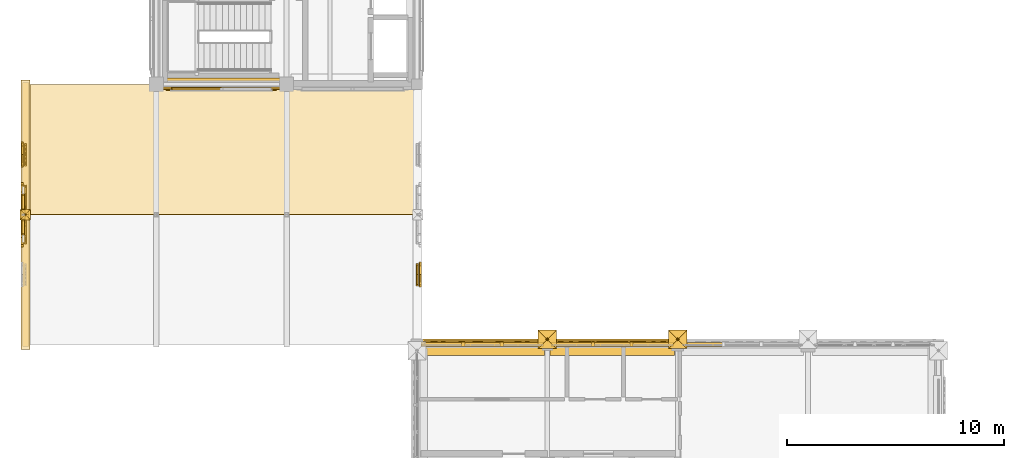
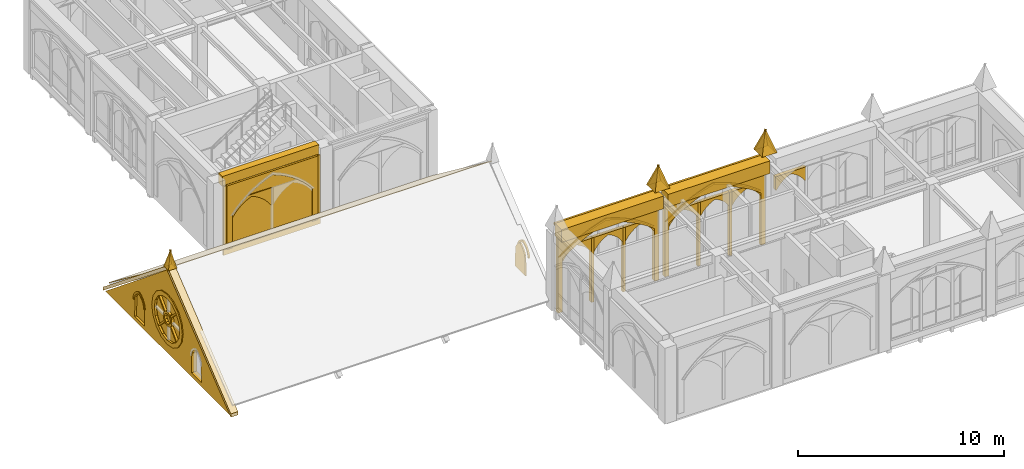
# One storey, part 113 of 143: 49 coverings.
"""IFC4 building model written with IfcOpenShell, lengths in metres."""

from ifc_helpers import new_model, si_unit, direction, frame, origin, origin_2d, place, context, subcontext, project, spatial, polyline, rectangle, outline, extrude, material, type_object, element, save


model = new_model("IFC4")

# Units and contexts
model_context = context("Model", 3, precision=1e-05, world=origin(), true_north=direction((0.0, 1.0)))
body_context = subcontext(model_context, "Body", "Model", "MODEL_VIEW")
ifc_project = project(units=[si_unit("LENGTHUNIT", "METRE"), si_unit("AREAUNIT", "SQUARE_METRE"), si_unit("VOLUMEUNIT", "CUBIC_METRE"), si_unit("PLANEANGLEUNIT", "RADIAN"), si_unit("MASSUNIT", "GRAM", prefix="KILO")], contexts=[model_context])

# Site, building, storey
site_placement = place(None, origin())
site = spatial("IfcSite", under=ifc_project, at=site_placement, CompositionType="ELEMENT")
building_placement = place(site_placement, origin())
building = spatial("IfcBuilding", under=site, at=building_placement, Name="Cumevento Cable Car Station", CompositionType="ELEMENT")
storey_placement = place(building_placement, frame((0.0, 0.0, 9.0)))
storey = spatial("IfcBuildingStorey", under=building, at=storey_placement, Name="L03", CompositionType="ELEMENT", Elevation=9.0)

# Coverings
ifc_material_1 = material(Name="Standing-Seam Zinc-Titanium Roof Sheet", Category="steel")
covering_type_1 = type_object("IfcCoveringType", Name="Standing-Seam Zinc Roofing CV-RF01", PredefinedType="ROOFING", material=ifc_material_1)
covering_1_placement = place(storey_placement, frame((4.0, 21.010009765625, 4.998291015625), z_axis=(0.0, 0.604226537421, 0.796812582404), x_axis=(1.0, 0.0, 0.0)))
element("IfcCovering", 1, at=covering_1_placement, inside=storey, type_object=covering_type_1, Name="Standing-Seam Zinc Roof Covering #34", PredefinedType="ROOFING", context=body_context, shape_type="SweptSolid", body=[
    extrude(outline(polyline([(0.0, 0.0), (18.0, 0.0), (18.0, 7.517439315913787), (0.0, 7.517439315913787), (0.0, 0.0)])), origin(), (0.0, 0.0, -1.0), 0.02587890625),
])
ifc_material_2 = material(Name="Gnaisse Facoidal Stone Ashlar 85 MPa", Category="masonry")
covering_type_2 = type_object("IfcCoveringType", Name="Gnaisse Ashlar Cladding CV-CL01", PredefinedType="CLADDING", material=ifc_material_2)
for number, where, z_axis, x_axis, name in (
    (2, (28.419921875, 14.840087890625, 4.8701171875), (0.0, -0.951573760476, 0.30742052367), (-1.0, 0.0, 0.0), "Gothic Buttress Pinnacle Spire Facet 1 bt:28.0:15.0"),
    (3, (27.580078125, 14.840087890625, 4.8701171875), (-0.951573760476, 0.0, 0.30742052367), (0.0, 1.0, 0.0), "Gothic Buttress Pinnacle Spire Facet 2 bt:28.0:15.0"),
    (4, (27.580078125, 15.679931640625, 4.8701171875), (0.0, 0.951573760476, 0.30742052367), (1.0, 0.0, 0.0), "Gothic Buttress Pinnacle Spire Facet 3 bt:28.0:15.0"),
    (5, (28.419921875, 15.679931640625, 4.8701171875), (0.951573760476, 0.0, 0.30742052367), (0.0, -1.0, 0.0), "Gothic Buttress Pinnacle Spire Facet 4 bt:28.0:15.0"),
    (6, (34.419921875, 14.840087890625, 4.8701171875), (0.0, -0.951573760476, 0.30742052367), (-1.0, 0.0, 0.0), "Gothic Buttress Pinnacle Spire Facet 1 bt:34.0:15.0"),
    (7, (33.580078125, 14.840087890625, 4.8701171875), (-0.951573760476, 0.0, 0.30742052367), (0.0, 1.0, 0.0), "Gothic Buttress Pinnacle Spire Facet 2 bt:34.0:15.0"),
    (8, (33.580078125, 15.679931640625, 4.8701171875), (0.0, 0.951573760476, 0.30742052367), (1.0, 0.0, 0.0), "Gothic Buttress Pinnacle Spire Facet 3 bt:34.0:15.0"),
    (9, (34.419921875, 15.679931640625, 4.8701171875), (0.951573760476, 0.0, 0.30742052367), (0.0, -1.0, 0.0), "Gothic Buttress Pinnacle Spire Facet 4 bt:34.0:15.0"),
):
    element("IfcCovering", number, at=place(storey_placement, frame(where, z_axis=z_axis, x_axis=x_axis)), inside=storey, type_object=covering_type_2, Name=name, PredefinedType="CLADDING", context=body_context, shape_type="SweptSolid", body=[
        extrude(outline(polyline([(0.0, 0.0), (0.83984375, 0.0), (0.419921875, -1.3659526370817139), (0.0, 0.0)])), origin(), (0.0, 0.0, -1.0), 0.0849609375),
    ])
covering_2_placement = place(storey_placement, frame((25.012451171875, 14.85009765625, 4.032958984375), z_axis=(0.0, 0.0, 1.0), x_axis=(1.0, 0.0, 0.0)))
element("IfcCovering", 10, at=covering_2_placement, inside=storey, type_object=covering_type_2, Name="Gothic Stone Spandrel Stringcourse sc:0584", PredefinedType="CLADDING", context=body_context, shape_type="SweptSolid", body=[
    extrude(rectangle(XDim=5.715087890625, YDim=0.659912109375, at=origin_2d()), origin(), (0.0, 0.0, 1.0), 0.7470703125),
])
covering_3_placement = place(storey_placement, frame((25.012451171875, 15.20751953125, 4.650146484375), z_axis=(0.0, 0.0, 1.0), x_axis=(1.0, 0.0, 0.0)))
element("IfcCovering", 11, at=covering_3_placement, inside=storey, type_object=covering_type_2, Name="Gothic Cornice Dripstone Lip sc:0584", PredefinedType="CLADDING", context=body_context, shape_type="SweptSolid", body=[
    extrude(rectangle(XDim=5.7548828125, YDim=0.114990234375, at=origin_2d()), origin(), (0.0, 0.0, 1.0), 0.1298828125),
])
covering_4_placement = place(storey_placement, frame((30.987548828125, 14.85009765625, 4.032958984375), z_axis=(0.0, 0.0, 1.0), x_axis=(1.0, 0.0, 0.0)))
element("IfcCovering", 12, at=covering_4_placement, inside=storey, type_object=covering_type_2, Name="Gothic Stone Spandrel Stringcourse sc:0585", PredefinedType="CLADDING", context=body_context, shape_type="SweptSolid", body=[
    extrude(rectangle(XDim=5.715087890625, YDim=0.659912109375, at=origin_2d()), origin(), (0.0, 0.0, 1.0), 0.7470703125),
])
covering_5_placement = place(storey_placement, frame((30.987548828125, 15.20751953125, 4.650146484375), z_axis=(0.0, 0.0, 1.0), x_axis=(1.0, 0.0, 0.0)))
element("IfcCovering", 13, at=covering_5_placement, inside=storey, type_object=covering_type_2, Name="Gothic Cornice Dripstone Lip sc:0585", PredefinedType="CLADDING", context=body_context, shape_type="SweptSolid", body=[
    extrude(rectangle(XDim=5.7548828125, YDim=0.114990234375, at=origin_2d()), origin(), (0.0, 0.0, 1.0), 0.1298828125),
])
covering_6_placement = place(storey_placement, frame((13.0, 27.090087890625, 3.97412109375), z_axis=(0.0, 0.0, 1.0), x_axis=(-1.0, 0.0, 0.0)))
element("IfcCovering", 14, at=covering_6_placement, inside=storey, type_object=covering_type_2, Name="Gothic Stone Spandrel Stringcourse sc:0616", PredefinedType="CLADDING", context=body_context, shape_type="SweptSolid", body=[
    extrude(rectangle(XDim=5.409912109375, YDim=0.3798828125, at=origin_2d()), origin(), (0.0, 0.0, 1.0), 0.60595703125),
])
placement_1 = place(storey_placement, frame((22.27490234375, 15.0, -0.419921875), z_axis=(0.0, 0.0, 1.0), x_axis=(1.0, 0.0, 0.0)))
element("IfcCovering", 15, at=placement_1, inside=storey, type_object=covering_type_2, Name="Gothic Ogival Pointed-Arch Stone Spandrel cw_ogival:0066", PredefinedType="CLADDING", context=body_context, shape_type="SweptSolid", body=[
    extrude(outline(polyline([(-0.080078125, 0.0), (-0.080078125, 4.593017578125), (5.554931640625, 4.593017578125), (5.554931640625, 0.0), (5.31494140625, 0.0), (5.31494140625, 3.133056640625), (5.02490234375, 3.34814453125), (4.723876953125, 3.547607421875), (4.41259765625, 3.731201171875), (4.092529296875, 3.898193359375), (3.763916015625, 4.04833984375), (3.427978515625, 4.18115234375), (3.08544921875, 4.296142578125), (2.737548828125, 4.39306640625), (2.3896484375, 4.296142578125), (2.047119140625, 4.18115234375), (1.711181640625, 4.04833984375), (1.382568359375, 3.898193359375), (1.0625, 3.731201171875), (0.751220703125, 3.547607421875), (0.4501953125, 3.34814453125), (0.159912109375, 3.133056640625), (0.159912109375, 0.0), (-0.080078125, 0.0)])), frame((0.0, 0.139892578125, 0.0), z_axis=(0.0, -1.0, 0.0), x_axis=(1.0, 0.0, 0.0)), (0.0, 0.0, 1.0), 0.219970703125),
])
covering_8_placement = place(storey_placement, frame((22.27490234375, 15.0, 2.713134765625), z_axis=(0.0, 0.0, 1.0), x_axis=(1.0, 0.0, 0.0)))
element("IfcCovering", 16, at=covering_8_placement, inside=storey, type_object=covering_type_2, Name="Gothic Pointed Archivolt Hood Moulding cw_ogival:0066", PredefinedType="CLADDING", context=body_context, shape_type="SweptSolid", body=[
    extrude(outline(polyline([(0.159912109375, 0.0), (0.4501953125, 0.215087890625), (0.751220703125, 0.41455078125), (1.0625, 0.59814453125), (1.382568359375, 0.76513671875), (1.711181640625, 0.915283203125), (2.047119140625, 1.048095703125), (2.3896484375, 1.1630859375), (2.737548828125, 1.260009765625), (3.08544921875, 1.1630859375), (3.427978515625, 1.048095703125), (3.763916015625, 0.915283203125), (4.092529296875, 0.76513671875), (4.41259765625, 0.59814453125), (4.723876953125, 0.41455078125), (5.02490234375, 0.215087890625), (5.31494140625, 0.0), (5.425048828125, 0.0), (5.12646484375, 0.23779296875), (4.815185546875, 0.458740234375), (4.492431640625, 0.662109375), (4.15869140625, 0.847412109375), (3.8154296875, 1.01416015625), (3.46337890625, 1.16162109375), (3.103759765625, 1.28955078125), (2.737548828125, 1.3974609375), (2.371337890625, 1.28955078125), (2.01171875, 1.16162109375), (1.65966796875, 1.01416015625), (1.31640625, 0.847412109375), (0.982666015625, 0.662109375), (0.659912109375, 0.458740234375), (0.3486328125, 0.23779296875), (0.050048828125, 0.0), (0.159912109375, 0.0)])), frame((0.0, 0.181884765625, 0.0), z_axis=(0.0, -1.0, 0.0), x_axis=(1.0, 0.0, 0.0)), (0.0, 0.0, 1.0), 0.06689453125),
])
element("IfcCovering", 17, at=placement_1, inside=storey, type_object=covering_type_2, Name="Gothic Bifora Stone Colonnette cw_ogival:0066 #1", PredefinedType="CLADDING", context=body_context, shape_type="SweptSolid", body=[
    extrude(outline(polyline([(1.7783203125, -0.02001953125), (1.92822265625, -0.02001953125), (1.92822265625, 3.7880859375), (1.7783203125, 3.7880859375), (1.7783203125, -0.02001953125)])), frame((0.0, 0.1279296875, 0.0), z_axis=(0.0, -1.0, 0.0), x_axis=(1.0, 0.0, 0.0)), (0.0, 0.0, 1.0), 0.205078125),
])
element("IfcCovering", 18, at=placement_1, inside=storey, type_object=covering_type_2, Name="Gothic Bifora Stone Colonnette cw_ogival:0066 #2", PredefinedType="CLADDING", context=body_context, shape_type="SweptSolid", body=[
    extrude(outline(polyline([(3.546630859375, -0.02001953125), (3.69677734375, -0.02001953125), (3.69677734375, 3.7880859375), (3.546630859375, 3.7880859375), (3.546630859375, -0.02001953125)])), frame((0.0, 0.1279296875, 0.0), z_axis=(0.0, -1.0, 0.0), x_axis=(1.0, 0.0, 0.0)), (0.0, 0.0, 1.0), 0.205078125),
])
for number, where, z_axis, x_axis, name in (
    (19, (22.405029296875, 15.0, 2.533203125), (0.0, 0.0, 1.0), (1.0, 0.0, 0.0), "Gothic Ogival Pointed-Arch Stone Spandrel cw_ogival:0066:sub:0"),
    (20, (24.17333984375, 15.0, 2.533203125), (0.0, 0.0, 1.0), (1.0, 0.0, 0.0), "Gothic Ogival Pointed-Arch Stone Spandrel cw_ogival:0066:sub:1"),
    (21, (25.941650390625, 15.0, 2.533203125), (0.0, 0.0, 1.0), (1.0, 0.0, 0.0), "Gothic Ogival Pointed-Arch Stone Spandrel cw_ogival:0066:sub:2"),
):
    element("IfcCovering", number, at=place(storey_placement, frame(where, z_axis=z_axis, x_axis=x_axis)), inside=storey, type_object=covering_type_2, Name=name, PredefinedType="CLADDING", context=body_context, shape_type="SweptSolid", body=[
        extrude(outline(polyline([(-0.02001953125, 0.0), (-0.02001953125, 0.835205078125), (1.6982421875, 0.835205078125), (1.6982421875, 0.0), (1.638427734375, 0.0), (1.541259765625, 0.154052734375), (1.427978515625, 0.29638671875), (1.29931640625, 0.42529296875), (1.156982421875, 0.538818359375), (1.0029296875, 0.635986328125), (0.839111328125, 0.715087890625), (0.67529296875, 0.635986328125), (0.521240234375, 0.538818359375), (0.37890625, 0.42529296875), (0.250244140625, 0.29638671875), (0.136962890625, 0.154052734375), (0.0400390625, 0.0), (-0.02001953125, 0.0)])), frame((0.0, 0.1240234375, 0.0), z_axis=(0.0, -1.0, 0.0), x_axis=(1.0, 0.0, 0.0)), (0.0, 0.0, 1.0), 0.199951171875),
    ])
placement_2 = place(storey_placement, frame((28.25, 15.0, -0.3701171875), z_axis=(0.0, 0.0, 1.0), x_axis=(1.0, 0.0, 0.0)))
element("IfcCovering", 22, at=placement_2, inside=storey, type_object=covering_type_2, Name="Gothic Ogival Pointed-Arch Stone Spandrel cw_ogival:0067", PredefinedType="CLADDING", context=body_context, shape_type="SweptSolid", body=[
    extrude(outline(polyline([(-0.080078125, 0.0), (-0.080078125, 4.54296875), (5.554931640625, 4.54296875), (5.554931640625, 0.0), (5.31494140625, 0.0), (5.31494140625, 3.10107421875), (5.02392578125, 3.313232421875), (4.722412109375, 3.510009765625), (4.4111328125, 3.69091796875), (4.0908203125, 3.85546875), (3.76220703125, 4.00341796875), (3.4267578125, 4.13427734375), (3.0849609375, 4.24755859375), (2.737548828125, 4.343017578125), (2.39013671875, 4.24755859375), (2.04833984375, 4.13427734375), (1.712890625, 4.00341796875), (1.38427734375, 3.85546875), (1.06396484375, 3.69091796875), (0.752685546875, 3.510009765625), (0.451171875, 3.313232421875), (0.159912109375, 3.10107421875), (0.159912109375, 0.0), (-0.080078125, 0.0)])), frame((0.0, 0.139892578125, 0.0), z_axis=(0.0, -1.0, 0.0), x_axis=(1.0, 0.0, 0.0)), (0.0, 0.0, 1.0), 0.219970703125),
])
covering_12_placement = place(storey_placement, frame((28.25, 15.0, 2.731201171875), z_axis=(0.0, 0.0, 1.0), x_axis=(1.0, 0.0, 0.0)))
element("IfcCovering", 23, at=covering_12_placement, inside=storey, type_object=covering_type_2, Name="Gothic Pointed Archivolt Hood Moulding cw_ogival:0067", PredefinedType="CLADDING", context=body_context, shape_type="SweptSolid", body=[
    extrude(outline(polyline([(0.159912109375, 0.0), (0.451171875, 0.212158203125), (0.752685546875, 0.408935546875), (1.06396484375, 0.58984375), (1.38427734375, 0.75439453125), (1.712890625, 0.90234375), (2.04833984375, 1.033203125), (2.39013671875, 1.146484375), (2.737548828125, 1.241943359375), (3.0849609375, 1.146484375), (3.4267578125, 1.033203125), (3.76220703125, 0.90234375), (4.0908203125, 0.75439453125), (4.4111328125, 0.58984375), (4.722412109375, 0.408935546875), (5.02392578125, 0.212158203125), (5.31494140625, 0.0), (5.425048828125, 0.0), (5.125732421875, 0.23486328125), (4.813720703125, 0.453125), (4.490478515625, 0.65380859375), (4.156982421875, 0.8369140625), (3.813720703125, 1.001220703125), (3.462158203125, 1.14697265625), (3.10302734375, 1.27294921875), (2.737548828125, 1.37939453125), (2.3720703125, 1.27294921875), (2.012939453125, 1.14697265625), (1.661376953125, 1.001220703125), (1.318115234375, 0.8369140625), (0.984619140625, 0.65380859375), (0.661376953125, 0.453125), (0.349365234375, 0.23486328125), (0.050048828125, 0.0), (0.159912109375, 0.0)])), frame((0.0, 0.181884765625, 0.0), z_axis=(0.0, -1.0, 0.0), x_axis=(1.0, 0.0, 0.0)), (0.0, 0.0, 1.0), 0.06689453125),
])
element("IfcCovering", 24, at=placement_2, inside=storey, type_object=covering_type_2, Name="Gothic Bifora Stone Colonnette cw_ogival:0067 #1", PredefinedType="CLADDING", context=body_context, shape_type="SweptSolid", body=[
    extrude(outline(polyline([(1.7783203125, -0.02001953125), (1.92822265625, -0.02001953125), (1.92822265625, 3.746826171875), (1.7783203125, 3.746826171875), (1.7783203125, -0.02001953125)])), frame((0.0, 0.1279296875, 0.0), z_axis=(0.0, -1.0, 0.0), x_axis=(1.0, 0.0, 0.0)), (0.0, 0.0, 1.0), 0.205078125),
])
element("IfcCovering", 25, at=placement_2, inside=storey, type_object=covering_type_2, Name="Gothic Bifora Stone Colonnette cw_ogival:0067 #2", PredefinedType="CLADDING", context=body_context, shape_type="SweptSolid", body=[
    extrude(outline(polyline([(3.546630859375, -0.02001953125), (3.69677734375, -0.02001953125), (3.69677734375, 3.746826171875), (3.546630859375, 3.746826171875), (3.546630859375, -0.02001953125)])), frame((0.0, 0.1279296875, 0.0), z_axis=(0.0, -1.0, 0.0), x_axis=(1.0, 0.0, 0.0)), (0.0, 0.0, 1.0), 0.205078125),
])
for number, where, z_axis, x_axis, name in (
    (26, (28.3798828125, 15.0, 2.551025390625), (0.0, 0.0, 1.0), (1.0, 0.0, 0.0), "Gothic Ogival Pointed-Arch Stone Spandrel cw_ogival:0067:sub:0"),
    (27, (30.1484375, 15.0, 2.551025390625), (0.0, 0.0, 1.0), (1.0, 0.0, 0.0), "Gothic Ogival Pointed-Arch Stone Spandrel cw_ogival:0067:sub:1"),
    (28, (31.916748046875, 15.0, 2.551025390625), (0.0, 0.0, 1.0), (1.0, 0.0, 0.0), "Gothic Ogival Pointed-Arch Stone Spandrel cw_ogival:0067:sub:2"),
):
    element("IfcCovering", number, at=place(storey_placement, frame(where, z_axis=z_axis, x_axis=x_axis)), inside=storey, type_object=covering_type_2, Name=name, PredefinedType="CLADDING", context=body_context, shape_type="SweptSolid", body=[
        extrude(outline(polyline([(-0.02001953125, 0.0), (-0.02001953125, 0.82568359375), (1.6982421875, 0.82568359375), (1.6982421875, 0.0), (1.638427734375, 0.0), (1.54052734375, 0.15234375), (1.4267578125, 0.29296875), (1.2978515625, 0.419921875), (1.15576171875, 0.531982421875), (1.002197265625, 0.627685546875), (0.839111328125, 0.705810546875), (0.676025390625, 0.627685546875), (0.5224609375, 0.531982421875), (0.38037109375, 0.419921875), (0.25146484375, 0.29296875), (0.1376953125, 0.15234375), (0.0400390625, 0.0), (-0.02001953125, 0.0)])), frame((0.0, 0.1240234375, 0.0), z_axis=(0.0, -1.0, 0.0), x_axis=(1.0, 0.0, 0.0)), (0.0, 0.0, 1.0), 0.199951171875),
    ])
covering_15_placement = place(storey_placement, frame((34.405029296875, 15.0, 2.587158203125), z_axis=(0.0, 0.0, 1.0), x_axis=(1.0, 0.0, 0.0)))
element("IfcCovering", 29, at=covering_15_placement, inside=storey, type_object=covering_type_2, Name="Gothic Ogival Pointed-Arch Stone Spandrel cw_ogival:0069:sub:0", PredefinedType="CLADDING", context=body_context, shape_type="SweptSolid", body=[
    extrude(outline(polyline([(-0.02001953125, 0.0), (-0.02001953125, 0.80712890625), (1.67333984375, 0.80712890625), (1.67333984375, 0.0), (1.61328125, 0.0), (1.5166015625, 0.1484375), (1.404052734375, 0.285400390625), (1.27734375, 0.4091796875), (1.137451171875, 0.51806640625), (0.98681640625, 0.611083984375), (0.82666015625, 0.68701171875), (0.66650390625, 0.611083984375), (0.515869140625, 0.51806640625), (0.3759765625, 0.4091796875), (0.249267578125, 0.285400390625), (0.13671875, 0.1484375), (0.0400390625, 0.0), (-0.02001953125, 0.0)])), frame((0.0, 0.1240234375, 0.0), z_axis=(0.0, -1.0, 0.0), x_axis=(1.0, 0.0, 0.0)), (0.0, 0.0, 1.0), 0.199951171875),
])
covering_16_placement = place(storey_placement, frame((15.675048828125, 27.0, 0.0), z_axis=(0.0, 0.0, 1.0), x_axis=(-1.0, 0.0, 0.0)))
element("IfcCovering", 30, at=covering_16_placement, inside=storey, type_object=covering_type_2, Name="Exterior Gnaisse Stone Wall Ashlar #235", PredefinedType="CLADDING", context=body_context, shape_type="SweptSolid", body=[
    extrude(outline(polyline([(-0.0400390625, -0.02001953125), (5.389892578125, -0.02001953125), (5.389892578125, 4.053955078125), (-0.0400390625, 4.053955078125), (-0.0400390625, -0.02001953125)])), frame((0.0, 0.222412109375, 0.0), z_axis=(0.0, -1.0, 0.0), x_axis=(1.0, 0.0, 0.0)), (0.0, 0.0, 1.0), 0.0849609375),
])
covering_17_placement = place(storey_placement, frame((15.4951171875, 27.0, 0.300048828125), z_axis=(0.0, 0.0, 1.0), x_axis=(-1.0, 0.0, 0.0)))
element("IfcCovering", 31, at=covering_17_placement, inside=storey, type_object=covering_type_2, Name="Gothic Ogival Pointed-Arch Stone Spandrel blind_ogival:0235", PredefinedType="CLADDING", context=body_context, shape_type="SweptSolid", body=[
    extrude(outline(polyline([(-0.050048828125, 0.0), (-0.050048828125, 3.77392578125), (5.0400390625, 3.77392578125), (5.0400390625, 0.0), (4.72998046875, 0.0), (4.72998046875, 1.958984375), (4.471923828125, 2.26123046875), (4.190185546875, 2.541748046875), (3.886474609375, 2.798095703125), (3.562744140625, 3.029052734375), (3.221435546875, 3.23291015625), (2.86474609375, 3.408203125), (2.4951171875, 3.553955078125), (2.125244140625, 3.408203125), (1.7685546875, 3.23291015625), (1.42724609375, 3.029052734375), (1.103515625, 2.798095703125), (0.7998046875, 2.541748046875), (0.51806640625, 2.26123046875), (0.260009765625, 1.958984375), (0.260009765625, 0.0), (-0.050048828125, 0.0)])), frame((0.0, 0.277587890625, 0.0), z_axis=(0.0, -1.0, 0.0), x_axis=(1.0, 0.0, 0.0)), (0.0, 0.0, 1.0), 0.110107421875),
])
covering_18_placement = place(storey_placement, frame((12.955078125, 27.0, 2.0791015625), z_axis=(0.0, 0.0, 1.0), x_axis=(-1.0, 0.0, 0.0)))
element("IfcCovering", 32, at=covering_18_placement, inside=storey, type_object=covering_type_2, Name="Gothic Ogival Pointed-Arch Stone Spandrel blind_ogival:0235:sub:1", PredefinedType="CLADDING", context=body_context, shape_type="SweptSolid", body=[
    extrude(outline(polyline([(-0.02001953125, 0.0), (-0.02001953125, 1.009521484375), (2.239990234375, 1.009521484375), (2.239990234375, 0.0), (2.179931640625, 0.0), (2.044677734375, 0.193115234375), (1.8896484375, 0.37060546875), (1.716552734375, 0.53076171875), (1.52734375, 0.671630859375), (1.324462890625, 0.79150390625), (1.110107421875, 0.889404296875), (0.8955078125, 0.79150390625), (0.692626953125, 0.671630859375), (0.50341796875, 0.53076171875), (0.330322265625, 0.37060546875), (0.17529296875, 0.193115234375), (0.0400390625, 0.0), (-0.02001953125, 0.0)])), frame((0.0, 0.261474609375, 0.0), z_axis=(0.0, -1.0, 0.0), x_axis=(1.0, 0.0, 0.0)), (0.0, 0.0, 1.0), 0.090087890625),
])
placement_3 = place(storey_placement, frame((4.0, 15.0, 0.0), z_axis=(0.0, 0.0, 1.0), x_axis=(0.0, 1.0, 0.0)))
element("IfcCovering", 33, at=placement_3, inside=storey, type_object=covering_type_2, Name="Gothic Stone Gable Tympanum wing_B_V6a_W", PredefinedType="CLADDING", context=body_context, shape_type="SweptSolid", body=[
    extrude(outline(polyline([(-0.080078125, -0.06005859375), (12.080078125, -0.06005859375), (6.0, 4.909912109375), (-0.080078125, -0.06005859375)]), holes=[polyline([(7.30419921875, 1.980224609375), (7.204833984375, 2.479248046875), (6.922119140625, 2.90234375), (6.4990234375, 3.18505859375), (6.0, 3.284423828125), (5.5009765625, 3.18505859375), (5.077880859375, 2.90234375), (4.795166015625, 2.479248046875), (4.69580078125, 1.980224609375), (4.795166015625, 1.481201171875), (5.077880859375, 1.05810546875), (5.5009765625, 0.775390625), (6.0, 0.67626953125), (6.4990234375, 0.775390625), (6.922119140625, 1.05810546875), (7.204833984375, 1.481201171875), (7.30419921875, 1.980224609375)]), polyline([(2.764892578125, 0.179931640625), (3.715087890625, 0.179931640625), (3.693115234375, 1.342529296875), (3.62890625, 1.495849609375), (3.52685546875, 1.627197265625), (3.394287109375, 1.727294921875), (3.239990234375, 1.789306640625), (3.085693359375, 1.727294921875), (2.953125, 1.627197265625), (2.85107421875, 1.495849609375), (2.786865234375, 1.342529296875), (2.764892578125, 0.179931640625)]), polyline([(8.284912109375, 0.179931640625), (9.235107421875, 0.179931640625), (9.213134765625, 1.342529296875), (9.14892578125, 1.495849609375), (9.046875, 1.627197265625), (8.914306640625, 1.727294921875), (8.760009765625, 1.789306640625), (8.605712890625, 1.727294921875), (8.47314453125, 1.627197265625), (8.37109375, 1.495849609375), (8.306884765625, 1.342529296875), (8.284912109375, 0.179931640625)])]), frame((0.0, 0.159912109375, 0.0), z_axis=(0.0, -1.0, 0.0), x_axis=(1.0, 0.0, 0.0)), (0.0, 0.0, 1.0), 0.300048828125),
])
element("IfcCovering", 34, at=placement_3, inside=storey, type_object=covering_type_2, Name="Gothic Gable Recessed Tracery Backing wing_B_V6a_W rose", PredefinedType="CLADDING", context=body_context, shape_type="SweptSolid", body=[
    extrude(outline(polyline([(7.343994140625, 1.980224609375), (7.24169921875, 2.49462890625), (6.950439453125, 2.9306640625), (6.514404296875, 3.22216796875), (6.0, 3.324462890625), (5.485595703125, 3.22216796875), (5.049560546875, 2.9306640625), (4.75830078125, 2.49462890625), (4.656005859375, 1.980224609375), (4.75830078125, 1.4658203125), (5.049560546875, 1.02978515625), (5.485595703125, 0.738525390625), (6.0, 0.63623046875), (6.514404296875, 0.738525390625), (6.950439453125, 1.02978515625), (7.24169921875, 1.4658203125), (7.343994140625, 1.980224609375)])), frame((0.0, 0.050048828125, 0.0), z_axis=(0.0, -1.0, 0.0), x_axis=(1.0, 0.0, 0.0)), (0.0, 0.0, 1.0), 0.074951171875),
])
element("IfcCovering", 35, at=placement_3, inside=storey, type_object=covering_type_2, Name="Gothic Gable Recessed Tracery Backing wing_B_V6a_W lancet_1", PredefinedType="CLADDING", context=body_context, shape_type="SweptSolid", body=[
    extrude(outline(polyline([(8.2548828125, 0.14990234375), (9.264892578125, 0.14990234375), (9.208740234375, 1.3349609375), (9.127685546875, 1.47998046875), (9.02392578125, 1.609375), (8.900146484375, 1.72021484375), (8.760009765625, 1.809326171875), (8.619873046875, 1.72021484375), (8.49609375, 1.609375), (8.392333984375, 1.47998046875), (8.311279296875, 1.3349609375), (8.2548828125, 0.14990234375)])), frame((0.0, 0.050048828125, 0.0), z_axis=(0.0, -1.0, 0.0), x_axis=(1.0, 0.0, 0.0)), (0.0, 0.0, 1.0), 0.074951171875),
])
element("IfcCovering", 36, at=placement_3, inside=storey, type_object=covering_type_2, Name="Gothic 16-Sided Stone Rose Window Ring wing_B_V6a_W", PredefinedType="CLADDING", context=body_context, shape_type="SweptSolid", body=[
    extrude(outline(polyline([(7.484130859375, 1.980224609375), (7.37109375, 2.54833984375), (7.04931640625, 3.02978515625), (6.56787109375, 3.351318359375), (6.0, 3.46435546875), (5.43212890625, 3.351318359375), (4.95068359375, 3.02978515625), (4.62890625, 2.54833984375), (4.515869140625, 1.980224609375), (4.62890625, 1.412353515625), (4.95068359375, 0.930908203125), (5.43212890625, 0.609130859375), (6.0, 0.49609375), (6.56787109375, 0.609130859375), (7.04931640625, 0.930908203125), (7.37109375, 1.412353515625), (7.484130859375, 1.980224609375)]), holes=[polyline([(7.234130859375, 1.980224609375), (7.14013671875, 2.45263671875), (6.87255859375, 2.85302734375), (6.47216796875, 3.120361328125), (6.0, 3.21435546875), (5.52783203125, 3.120361328125), (5.12744140625, 2.85302734375), (4.85986328125, 2.45263671875), (4.765869140625, 1.980224609375), (4.85986328125, 1.508056640625), (5.12744140625, 1.107666015625), (5.52783203125, 0.840087890625), (6.0, 0.74609375), (6.47216796875, 0.840087890625), (6.87255859375, 1.107666015625), (7.14013671875, 1.508056640625), (7.234130859375, 1.980224609375)])]), frame((0.0, 0.215087890625, 0.0), z_axis=(0.0, -1.0, 0.0), x_axis=(1.0, 0.0, 0.0)), (0.0, 0.0, 1.0), 0.110107421875),
])
element("IfcCovering", 37, at=placement_3, inside=storey, type_object=covering_type_2, Name="Gothic Rose Central Stone Oculus Hub wing_B_V6a_W", PredefinedType="CLADDING", context=body_context, shape_type="SweptSolid", body=[
    extrude(outline(polyline([(6.419189453125, 1.980224609375), (6.363037109375, 2.18994140625), (6.20947265625, 2.34326171875), (6.0, 2.3994140625), (5.79052734375, 2.34326171875), (5.636962890625, 2.18994140625), (5.580810546875, 1.980224609375), (5.636962890625, 1.770751953125), (5.79052734375, 1.617431640625), (6.0, 1.561279296875), (6.20947265625, 1.617431640625), (6.363037109375, 1.770751953125), (6.419189453125, 1.980224609375)]), holes=[polyline([(6.299072265625, 1.980224609375), (6.259033203125, 2.1298828125), (6.149658203125, 2.2392578125), (6.0, 2.279296875), (5.850341796875, 2.2392578125), (5.740966796875, 2.1298828125), (5.700927734375, 1.980224609375), (5.740966796875, 1.830810546875), (5.850341796875, 1.72119140625), (6.0, 1.68115234375), (6.149658203125, 1.72119140625), (6.259033203125, 1.830810546875), (6.299072265625, 1.980224609375)])]), frame((0.0, 0.18994140625, 0.0), z_axis=(0.0, -1.0, 0.0), x_axis=(1.0, 0.0, 0.0)), (0.0, 0.0, 1.0), 0.139892578125),
])
element("IfcCovering", 38, at=placement_3, inside=storey, type_object=covering_type_2, Name="Gothic Rose Stone Tracery Mullion wing_B_V6a_W #2", PredefinedType="CLADDING", context=body_context, shape_type="SweptSolid", body=[
    extrude(outline(polyline([(6.229248046875, 2.273193359375), (6.876220703125, 2.920166015625), (6.939697265625, 2.8564453125), (6.292724609375, 2.20947265625), (6.229248046875, 2.273193359375)])), frame((0.0, 0.18505859375, 0.0), z_axis=(0.0, -1.0, 0.0), x_axis=(1.0, 0.0, 0.0)), (0.0, 0.0, 1.0), 0.1298828125),
])
element("IfcCovering", 39, at=placement_3, inside=storey, type_object=covering_type_2, Name="Gothic Rose Stone Tracery Mullion wing_B_V6a_W #4", PredefinedType="CLADDING", context=body_context, shape_type="SweptSolid", body=[
    extrude(outline(polyline([(5.707275390625, 2.20947265625), (5.060302734375, 2.8564453125), (5.123779296875, 2.920166015625), (5.770751953125, 2.273193359375), (5.707275390625, 2.20947265625)])), frame((0.0, 0.18505859375, 0.0), z_axis=(0.0, -1.0, 0.0), x_axis=(1.0, 0.0, 0.0)), (0.0, 0.0, 1.0), 0.1298828125),
])
element("IfcCovering", 40, at=placement_3, inside=storey, type_object=covering_type_2, Name="Gothic Rose Stone Tracery Mullion wing_B_V6a_W #6", PredefinedType="CLADDING", context=body_context, shape_type="SweptSolid", body=[
    extrude(outline(polyline([(5.770751953125, 1.6875), (5.123779296875, 1.04052734375), (5.060302734375, 1.10400390625), (5.707275390625, 1.751220703125), (5.770751953125, 1.6875)])), frame((0.0, 0.18505859375, 0.0), z_axis=(0.0, -1.0, 0.0), x_axis=(1.0, 0.0, 0.0)), (0.0, 0.0, 1.0), 0.1298828125),
])
element("IfcCovering", 41, at=placement_3, inside=storey, type_object=covering_type_2, Name="Gothic Rose Stone Tracery Mullion wing_B_V6a_W #8", PredefinedType="CLADDING", context=body_context, shape_type="SweptSolid", body=[
    extrude(outline(polyline([(6.292724609375, 1.751220703125), (6.939697265625, 1.10400390625), (6.876220703125, 1.04052734375), (6.229248046875, 1.6875), (6.292724609375, 1.751220703125)])), frame((0.0, 0.18505859375, 0.0), z_axis=(0.0, -1.0, 0.0), x_axis=(1.0, 0.0, 0.0)), (0.0, 0.0, 1.0), 0.1298828125),
])
element("IfcCovering", 42, at=placement_3, inside=storey, type_object=covering_type_2, Name="Gable Lancet Stone Hood Moulding wing_B_V6a_W #2", PredefinedType="CLADDING", context=body_context, shape_type="SweptSolid", body=[
    extrude(outline(polyline([(8.284912109375, 1.177734375), (8.306884765625, 1.342529296875), (8.37109375, 1.495849609375), (8.47314453125, 1.627197265625), (8.605712890625, 1.727294921875), (8.760009765625, 1.789306640625), (8.914306640625, 1.727294921875), (9.046875, 1.627197265625), (9.14892578125, 1.495849609375), (9.213134765625, 1.342529296875), (9.235107421875, 1.177734375), (9.324951171875, 1.177734375), (9.299072265625, 1.37451171875), (9.22265625, 1.557373046875), (9.1015625, 1.71435546875), (8.943603515625, 1.83447265625), (8.760009765625, 1.909423828125), (8.576416015625, 1.83447265625), (8.41845703125, 1.71435546875), (8.29736328125, 1.557373046875), (8.220947265625, 1.37451171875), (8.195068359375, 1.177734375), (8.284912109375, 1.177734375)])), frame((0.0, 0.205078125, 0.0), z_axis=(0.0, -1.0, 0.0), x_axis=(1.0, 0.0, 0.0)), (0.0, 0.0, 1.0), 0.090087890625),
])
element("IfcCovering", 43, at=placement_3, inside=storey, type_object=covering_type_2, Name="Raking Gothic Stone Gable Coping wing_B_V6a_W", PredefinedType="CLADDING", context=body_context, shape_type="SweptSolid", body=[
    extrude(outline(polyline([(-0.199951171875, -0.06005859375), (6.0, 4.909912109375), (12.199951171875, -0.06005859375), (12.199951171875, 0.139892578125), (6.0, 5.14990234375), (-0.199951171875, 0.139892578125), (-0.199951171875, -0.06005859375)])), frame((0.0, 0.219970703125, 0.0), z_axis=(0.0, -1.0, 0.0), x_axis=(1.0, 0.0, 0.0)), (0.0, 0.0, 1.0), 0.39990234375),
])
for number, where, z_axis, x_axis, name in (
    (44, (4.2099609375, 20.760009765625, 5.010009765625), (0.97486272659, 0.0, 0.222806338116), (0.0, 1.0, 0.0), "Gothic Gable Finial Spire Facet 1 wing_B_V6a_W"),
    (45, (4.2099609375, 21.239990234375, 5.010009765625), (0.0, 0.97486272659, 0.222806338116), (-1.0, 0.0, 0.0), "Gothic Gable Finial Spire Facet 2 wing_B_V6a_W"),
    (46, (3.72998046875, 21.239990234375, 5.010009765625), (-0.97486272659, 0.0, 0.222806338116), (0.0, -1.0, 0.0), "Gothic Gable Finial Spire Facet 3 wing_B_V6a_W"),
    (47, (3.72998046875, 20.760009765625, 5.010009765625), (0.0, -0.97486272659, 0.222806338116), (1.0, 0.0, 0.0), "Gothic Gable Finial Spire Facet 4 wing_B_V6a_W"),
):
    element("IfcCovering", number, at=place(storey_placement, frame(where, z_axis=z_axis, x_axis=x_axis)), inside=storey, type_object=covering_type_2, Name=name, PredefinedType="CLADDING", context=body_context, shape_type="SweptSolid", body=[
        extrude(outline(polyline([(0.0, 0.0), (0.47998046875, 0.0), (0.239990234375, 1.0771248089437238), (0.0, 0.0)])), origin(), (0.0, 0.0, -1.0), 0.06494140625),
    ])
placement_4 = place(storey_placement, frame((22.0, 27.0, 0.0), z_axis=(0.0, 0.0, 1.0), x_axis=(0.0, -1.0, 0.0)))
element("IfcCovering", 48, at=placement_4, inside=storey, type_object=covering_type_2, Name="Gothic Gable Recessed Tracery Backing wing_B_V6a_E lancet_1", PredefinedType="CLADDING", context=body_context, shape_type="SweptSolid", body=[
    extrude(outline(polyline([(8.2548828125, 0.14990234375), (9.264892578125, 0.14990234375), (9.208740234375, 1.3349609375), (9.127685546875, 1.47998046875), (9.02392578125, 1.609375), (8.900146484375, 1.72021484375), (8.760009765625, 1.809326171875), (8.619873046875, 1.72021484375), (8.49609375, 1.609375), (8.392333984375, 1.47998046875), (8.311279296875, 1.3349609375), (8.2548828125, 0.14990234375)])), frame((0.0, 0.050048828125, 0.0), z_axis=(0.0, -1.0, 0.0), x_axis=(1.0, 0.0, 0.0)), (0.0, 0.0, 1.0), 0.074951171875),
])
element("IfcCovering", 49, at=placement_4, inside=storey, type_object=covering_type_2, Name="Gable Lancet Stone Hood Moulding wing_B_V6a_E #2", PredefinedType="CLADDING", context=body_context, shape_type="SweptSolid", body=[
    extrude(outline(polyline([(8.284912109375, 1.177734375), (8.306884765625, 1.342529296875), (8.37109375, 1.495849609375), (8.47314453125, 1.627197265625), (8.605712890625, 1.727294921875), (8.760009765625, 1.789306640625), (8.914306640625, 1.727294921875), (9.046875, 1.627197265625), (9.14892578125, 1.495849609375), (9.213134765625, 1.342529296875), (9.235107421875, 1.177734375), (9.324951171875, 1.177734375), (9.299072265625, 1.37451171875), (9.22265625, 1.557373046875), (9.1015625, 1.71435546875), (8.943603515625, 1.83447265625), (8.760009765625, 1.909423828125), (8.576416015625, 1.83447265625), (8.41845703125, 1.71435546875), (8.29736328125, 1.557373046875), (8.220947265625, 1.37451171875), (8.195068359375, 1.177734375), (8.284912109375, 1.177734375)])), frame((0.0, 0.205078125, 0.0), z_axis=(0.0, -1.0, 0.0), x_axis=(1.0, 0.0, 0.0)), (0.0, 0.0, 1.0), 0.090087890625),
])

save(model, "model.ifc")
